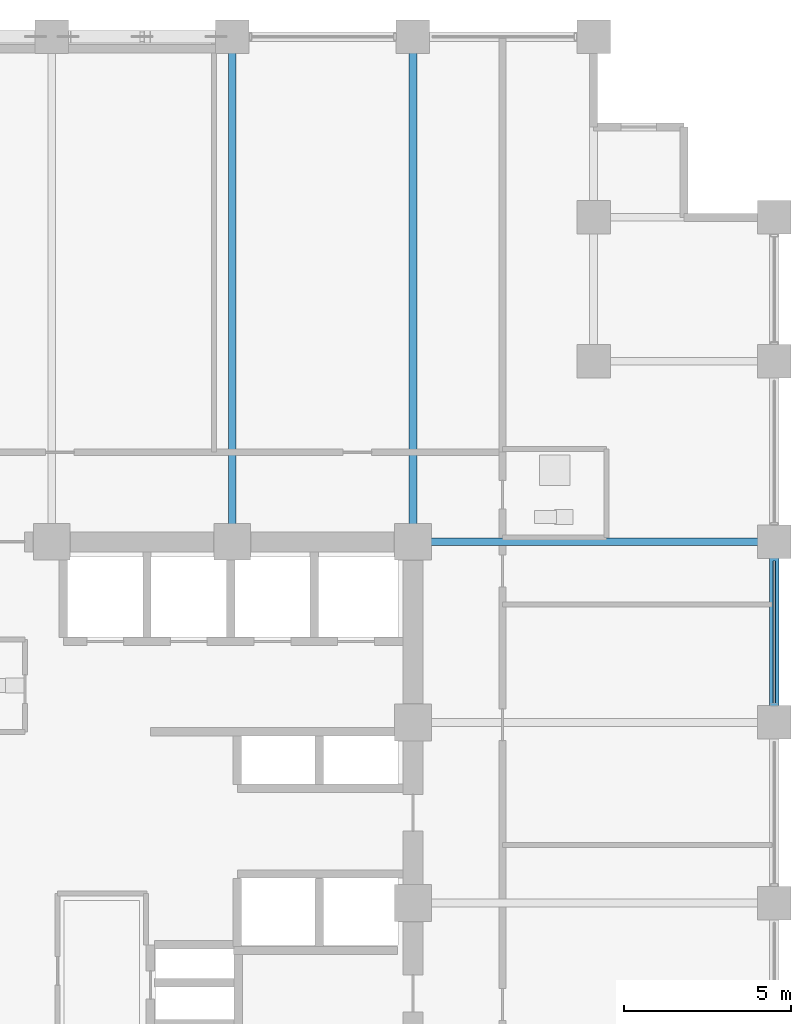
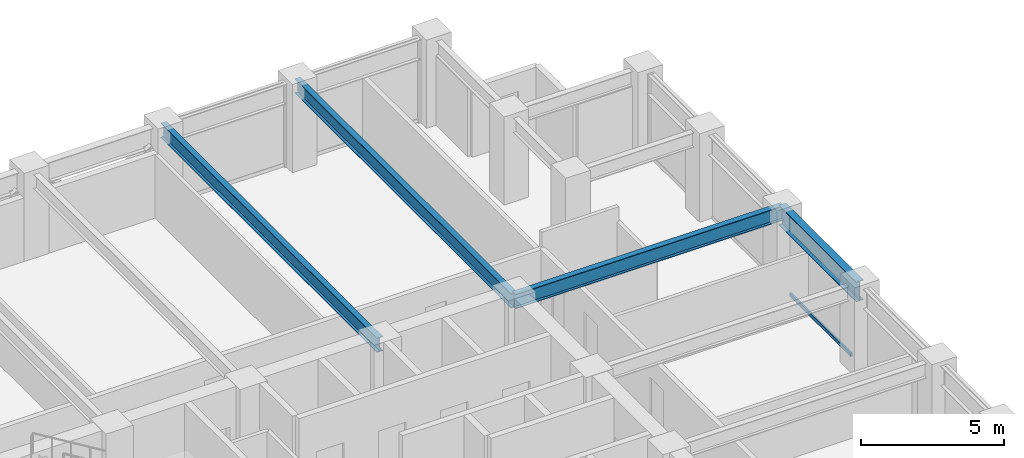
# One storey, part 14 of 23: 4 beams, 1 member, 1 element without a shape of its own.
"""IFC4 building model written with IfcOpenShell, lengths in metres."""

import ifcopenshell
import ifcopenshell.guid

model = None  # the IFC model being written
_history = None  # IfcOwnerHistory: only IFC2X3 demands one
_inside = {}  # id of a spatial element -> (the spatial element, [elements in it])
_under = {}  # id of a project, library or spatial element -> (it, [spatial elements below it])
_declared = {}  # id of a project -> (the project, [libraries it declares])
_typed = {}  # id of a type object -> (the type object, [elements of that type])
_made_of = {}  # id of a material, layer set ... -> (it, [elements and type objects made of it])


def new_model(schema):
    """Start an empty IFC model of exactly this schema.

    Asked for "IFC4X3", IfcOpenShell would pick the latest addendum, in which some entities
    have other attributes; the version numbers below select the first issue.
    IFC2X3 requires an IfcOwnerHistory on every rooted entity: one is made here for all.
    """
    global model, _history
    if schema == "IFC4X3":
        model = ifcopenshell.file(schema_version=(4, 3, 0, 0))
    else:
        model = ifcopenshell.file(schema=schema)
    _inside.clear()
    _under.clear()
    _declared.clear()
    _typed.clear()
    _made_of.clear()
    _history = None
    if model.schema == "IFC2X3":
        org = make("IfcOrganization", Name="unknown")
        user = make(
            "IfcPersonAndOrganization",
            ThePerson=make("IfcPerson", FamilyName="unknown"),
            TheOrganization=org,
        )
        app = make(
            "IfcApplication",
            ApplicationDeveloper=org,
            Version="unknown",
            ApplicationFullName="unknown",
            ApplicationIdentifier="unknown",
        )
        _history = make(
            "IfcOwnerHistory",
            OwningUser=user,
            OwningApplication=app,
            ChangeAction="ADDED",
            CreationDate=0,
        )
    return model


def make(cls, **values):
    """One entity of the class cls with the attributes given. An attribute that is None is left unset."""
    return model.create_entity(
        cls, **{name: value for name, value in values.items() if value is not None}
    )


def rooted(cls, **values):
    """An entity with a GlobalId (a new one), such as an element, a storey or a relation."""
    return make(cls, GlobalId=ifcopenshell.guid.new(), OwnerHistory=_history, **values)


def si_unit(unit_type, name, prefix=None):
    """IfcSIUnit, for example si_unit("LENGTHUNIT", "METRE", prefix="MILLI")."""
    return make("IfcSIUnit", UnitType=unit_type, Prefix=prefix, Name=name)


def assignment(units):
    """IfcUnitAssignment: the units of a project."""
    return None if units is None else make("IfcUnitAssignment", Units=units)


def point(xyz):
    """IfcCartesianPoint."""
    return None if xyz is None else make("IfcCartesianPoint", Coordinates=xyz)


def direction(xyz):
    """IfcDirection."""
    return None if xyz is None else make("IfcDirection", DirectionRatios=xyz)


def frame(location, z_axis=None, x_axis=None):
    """IfcAxis2Placement3D, a coordinate frame: its origin and axes. An axis left out is left unset."""
    return make(
        "IfcAxis2Placement3D",
        Location=point(location),
        Axis=direction(z_axis),
        RefDirection=direction(x_axis),
    )


def frame_2d(location, x_axis=None):
    """IfcAxis2Placement2D, a coordinate frame in the plane: its origin and x axis."""
    return make(
        "IfcAxis2Placement2D", Location=point(location), RefDirection=direction(x_axis)
    )


def origin():
    """The frame at (0, 0, 0) with its axes left unset."""
    return frame((0.0, 0.0, 0.0))


def origin_2d():
    """The frame at (0, 0) in the plane with its x axis left unset."""
    return frame_2d((0.0, 0.0))


def place(relative_to, where):
    """IfcLocalPlacement: puts the frame where relative to a parent placement (None: the world)."""
    return make(
        "IfcLocalPlacement", PlacementRelTo=relative_to, RelativePlacement=where
    )


def context(
    kind, dimensions, precision=None, world=None, true_north=None, identifier=None
):
    """IfcGeometricRepresentationContext, for example the 3D "Model" context."""
    return make(
        "IfcGeometricRepresentationContext",
        ContextIdentifier=identifier,
        ContextType=kind,
        CoordinateSpaceDimension=dimensions,
        Precision=precision,
        WorldCoordinateSystem=world,
        TrueNorth=true_north,
    )


def subcontext(parent, identifier, kind, view, scale=None):
    """IfcGeometricRepresentationSubContext, for example "Body" below "Model"."""
    return make(
        "IfcGeometricRepresentationSubContext",
        ContextIdentifier=identifier,
        ContextType=kind,
        ParentContext=parent,
        TargetScale=scale,
        TargetView=view,
    )


def project(units=None, contexts=None):
    """IfcProject with its units and contexts."""
    return rooted(
        "IfcProject",
        Name="project",
        RepresentationContexts=contexts,
        UnitsInContext=assignment(units),
    )


def spatial(cls, under=None, at=None, **own):
    """A site, building, storey or space (cls), placed at a placement, below another one or the project."""
    s = rooted(cls, ObjectPlacement=at, **own)
    if under is not None:
        _under.setdefault(under.id(), (under, []))[1].append(s)
    return s


def profile(cls, at=None, kind="AREA", **sizes):
    """A parametric profile (cls). Its sizes go by their IFC names, for example OverallWidth=200.0."""
    return make(cls, ProfileType=kind, Position=at, **sizes)


def hollow_rectangle(**sizes):
    """IfcRectangleHollowProfileDef."""
    return profile("IfcRectangleHollowProfileDef", **sizes)


def i_section(**sizes):
    """IfcIShapeProfileDef."""
    return profile("IfcIShapeProfileDef", **sizes)


def extrude(swept, where, along, depth):
    """IfcExtrudedAreaSolid: the profile swept, set in the frame where, extruded along a direction by depth."""
    return make(
        "IfcExtrudedAreaSolid",
        SweptArea=swept,
        Position=where,
        ExtrudedDirection=direction(along),
        Depth=depth,
    )


def shape(context_of_items, identifier, shape_type, items):
    """IfcShapeRepresentation: the items that make up one representation, for example the "Body"."""
    return make(
        "IfcShapeRepresentation",
        ContextOfItems=context_of_items,
        RepresentationIdentifier=identifier,
        RepresentationType=shape_type,
        Items=items,
    )


def material(Name=None, Category=None):
    """IfcMaterial."""
    return make("IfcMaterial", Name=Name, Category=Category)


def layer(
    of_material, thickness, ventilated=None, Name=None, Category=None, Priority=None
):
    """IfcMaterialLayer: one layer of a wall or slab, of a material (None: an air gap)."""
    return make(
        "IfcMaterialLayer",
        Material=of_material,
        LayerThickness=thickness,
        IsVentilated=ventilated,
        Name=Name,
        Category=Category,
        Priority=Priority,
    )


def layer_set(layers, Name=None):
    """IfcMaterialLayerSet."""
    return make("IfcMaterialLayerSet", MaterialLayers=layers, LayerSetName=Name)


def material_profile(
    of_material, cross_section, Name=None, Category=None, Priority=None
):
    """IfcMaterialProfile: a cross section and its material."""
    return make(
        "IfcMaterialProfile",
        Name=Name,
        Material=of_material,
        Profile=cross_section,
        Priority=Priority,
        Category=Category,
    )


def profile_set(profiles, Name=None, composite=None):
    """IfcMaterialProfileSet."""
    return make(
        "IfcMaterialProfileSet",
        Name=Name,
        MaterialProfiles=profiles,
        CompositeProfile=composite,
    )


def made_of(thing, what):
    """Note that an element or type object is made of a material, layer set ...; save() writes the relation."""
    if what is not None:
        _made_of.setdefault(what.id(), (what, []))[1].append(thing)
    return thing


def type_object(cls, material=None, **own):
    """A type object (cls), such as IfcWallType, which elements share."""
    return made_of(rooted(cls, **own), material)


def element(
    cls,
    number,
    at=None,
    inside=None,
    cuts=None,
    type_object=None,
    material=None,
    context=None,
    identifier="Body",
    shape_type=None,
    held_by="IfcProductDefinitionShape",
    body=None,
    shapes=None,
    **own,
):
    """One element of the class cls, such as IfcWall. Its Tag is "e" and its number.

    at: its placement. inside: the storey or other place that contains it. cuts: it is an
    opening in that element (IfcRelVoidsElement). A single representation is given by context,
    identifier, shape_type and body (its items); several are given by shapes. held_by: the class
    of the entity that holds the representations. save() writes the other relations.
    """
    e = rooted(cls, Tag="e%d" % number, ObjectPlacement=at, **own)
    if body is not None:
        shapes = [shape(context, identifier, shape_type, body)]
    if shapes is not None:
        e.Representation = make(held_by, Representations=shapes)
    if inside is not None:
        _inside.setdefault(inside.id(), (inside, []))[1].append(e)
    if cuts is not None:
        rooted(
            "IfcRelVoidsElement", RelatingBuildingElement=cuts, RelatedOpeningElement=e
        )
    if type_object is not None:
        _typed.setdefault(type_object.id(), (type_object, []))[1].append(e)
    return made_of(e, material)


def aggregate(whole, parts):
    """IfcRelAggregates: a whole, such as a stair, and the parts it consists of."""
    return rooted("IfcRelAggregates", RelatingObject=whole, RelatedObjects=parts)


def save(model, path):
    """Write the relations noted so far, then the file.

    IfcRelAggregates (storeys below a building ...), IfcRelContainedInSpatialStructure (elements
    in a storey), IfcRelDefinesByType, IfcRelAssociatesMaterial and IfcRelDeclares: one each for
    every whole, place, type object, material and project.
    """
    for whole, parts in _under.values():
        aggregate(whole, parts)
    for where, things in _inside.values():
        rooted(
            "IfcRelContainedInSpatialStructure",
            RelatedElements=things,
            RelatingStructure=where,
        )
    for kind, things in _typed.values():
        rooted("IfcRelDefinesByType", RelatedObjects=things, RelatingType=kind)
    for what, things in _made_of.values():
        rooted("IfcRelAssociatesMaterial", RelatedObjects=things, RelatingMaterial=what)
    for by, libraries in _declared.values():
        rooted("IfcRelDeclares", RelatingContext=by, RelatedDefinitions=libraries)
    model.write(path)


model = new_model("IFC4")

# Units and contexts
model_context = context("Model", 3, precision=1e-05, world=origin(), true_north=direction((0.0, 1.0)))
body_context = subcontext(model_context, "Body", "Model", "MODEL_VIEW")
ifc_project = project(units=[si_unit("LENGTHUNIT", "METRE"), si_unit("AREAUNIT", "SQUARE_METRE"), si_unit("VOLUMEUNIT", "CUBIC_METRE"), si_unit("PLANEANGLEUNIT", "RADIAN"), si_unit("MASSUNIT", "GRAM", prefix="KILO")], contexts=[model_context])

# Site, building, storey
site_placement = place(None, origin())
site = spatial("IfcSite", under=ifc_project, at=site_placement, CompositionType="ELEMENT")
building_placement = place(site_placement, origin())
building = spatial("IfcBuilding", under=site, at=building_placement, Name="Surkhivell Harbour Commons", CompositionType="ELEMENT")
storey_placement = place(building_placement, frame((0.0, 0.0, 128.25)))
storey = spatial("IfcBuildingStorey", under=building, at=storey_placement, Name="L33", CompositionType="ELEMENT", Elevation=128.25)

# Beams
ifc_material_1 = material(Name="Steel S355", Category="steel")
ifc_material_profile_1 = material_profile(ifc_material_1, i_section(OverallWidth=0.22998046875, OverallDepth=0.616943359375, WebThickness=0.01318359375, FlangeThickness=0.022216796875, at=origin_2d()), Name="UB610x229x140")
ifc_profile_set_1 = profile_set([ifc_material_profile_1], Name="Steel S355")
beam_type_1 = type_object("IfcBeamType", Name="BM-GRD-610B", PredefinedType="BEAM", material=ifc_profile_set_1)
for number, where, z_axis, x_axis, name in (
    (1, (5.39990234375, 10.800048828125, 3.261474609375), (0.0, 1.0, 0.0), (-1.0, 0.0, 0.0), "L33 Floor Girder (5.4,10.8)"),
    (2, (10.800048828125, 10.800048828125, 3.261474609375), (0.0, 1.0, 0.0), (-1.0, 0.0, 0.0), "L33 Floor Girder (10.8,10.8)"),
):
    element("IfcBeam", number, at=place(storey_placement, frame(where, z_axis=z_axis, x_axis=x_axis)), inside=storey, type_object=beam_type_1, Name=name, PredefinedType="BEAM", context=body_context, shape_type="SweptSolid", body=[
        extrude(i_section(OverallWidth=0.22998046875, OverallDepth=0.616943359375, WebThickness=0.01318359375, FlangeThickness=0.022216796875, at=origin_2d()), origin(), (0.0, 0.0, 1.0), 15.099853515625),
    ])
beam_1_placement = place(storey_placement, frame((10.800048828125, 10.800048828125, 3.261474609375), z_axis=(1.0, 0.0, 0.0), x_axis=(0.0, 1.0, 0.0)))
element("IfcBeam", 3, at=beam_1_placement, inside=storey, type_object=beam_type_1, Name="L33 Floor Girder (10.8,10.8)", PredefinedType="BEAM", context=body_context, shape_type="SweptSolid", body=[
    extrude(i_section(OverallWidth=0.22998046875, OverallDepth=0.616943359375, WebThickness=0.01318359375, FlangeThickness=0.022216796875, at=origin_2d()), origin(), (0.0, 0.0, 1.0), 10.800048828125),
])
ifc_material_2 = material(Name="Steel S460", Category="steel")
ifc_material_profile_2 = material_profile(ifc_material_2, i_section(OverallWidth=0.2939453125, OverallDepth=0.85107421875, WebThickness=0.01611328125, FlangeThickness=0.02685546875, at=origin_2d()), Name="UB838x292x226")
ifc_profile_set_2 = profile_set([ifc_material_profile_2], Name="Steel S460")
beam_type_2 = type_object("IfcBeamType", Name="BM-SPN-838", PredefinedType="SPANDREL", material=ifc_profile_set_2)
beam_2_placement = place(storey_placement, frame((21.60009765625, 5.39990234375, 3.14453125), z_axis=(0.0, 1.0, 0.0), x_axis=(-1.0, 0.0, 0.0)))
element("IfcBeam", 4, at=beam_2_placement, inside=storey, type_object=beam_type_2, Name="L33 Tube Spandrel (21.6,5.4)", PredefinedType="SPANDREL", context=body_context, shape_type="SweptSolid", body=[
    extrude(i_section(OverallWidth=0.2939453125, OverallDepth=0.85107421875, WebThickness=0.01611328125, FlangeThickness=0.02685546875, at=origin_2d()), origin(), (0.0, 0.0, 1.0), 5.400146484375),
])

# Curtain wall, member
ifc_material_3 = material(Name="Anodised pale-metal aluminium and insulated glazing", Category="aluminium")
ifc_layer = layer(ifc_material_3, 0.205078125)
ifc_layer_set = layer_set([ifc_layer], Name="Anodised pale-metal aluminium and insulated glazing")
curtain_wall_type = type_object("IfcCurtainWallType", Name="CW-SYS-Z2", PredefinedType="NOTDEFINED", material=ifc_layer_set)
curtain_wall_placement = place(storey_placement, origin())
curtain_wall = element("IfcCurtainWall", 5, at=curtain_wall_placement, inside=storey, type_object=curtain_wall_type, Name="L33 Curtain Wall CW-L33-E02", PredefinedType="NOTDEFINED")
ifc_material_4 = material(Name="Anodised pale-metal aluminium alloy 6063-T6", Category="aluminium")
ifc_material_profile_3 = material_profile(ifc_material_4, hollow_rectangle(XDim=0.074951171875, YDim=0.14990234375, WallThickness=0.00341796875, at=origin_2d()), Name="ALU-TRAN-75x150")
ifc_profile_set_3 = profile_set([ifc_material_profile_3], Name="Anodised pale-metal aluminium alloy 6063-T6")
member_type = type_object("IfcMemberType", Name="CWT-150", PredefinedType="USERDEFINED", material=ifc_profile_set_3)
member_placement = place(storey_placement, frame((21.60009765625, 5.97705078125, 0.074951171875), z_axis=(0.0, 1.0, 0.0), x_axis=(-1.0, 0.0, 0.0)))
member = element("IfcMember", 6, at=member_placement, type_object=member_type, Name="CW-Z2 transom 3.1", ObjectType="TRANSOM", PredefinedType="USERDEFINED", context=body_context, shape_type="SweptSolid", body=[
    extrude(hollow_rectangle(XDim=0.074951171875, YDim=0.14990234375, WallThickness=0.00341796875, at=origin_2d()), origin(), (0.0, 0.0, 1.0), 4.245849609375),
])
aggregate(curtain_wall, [member])

save(model, "model.ifc")
